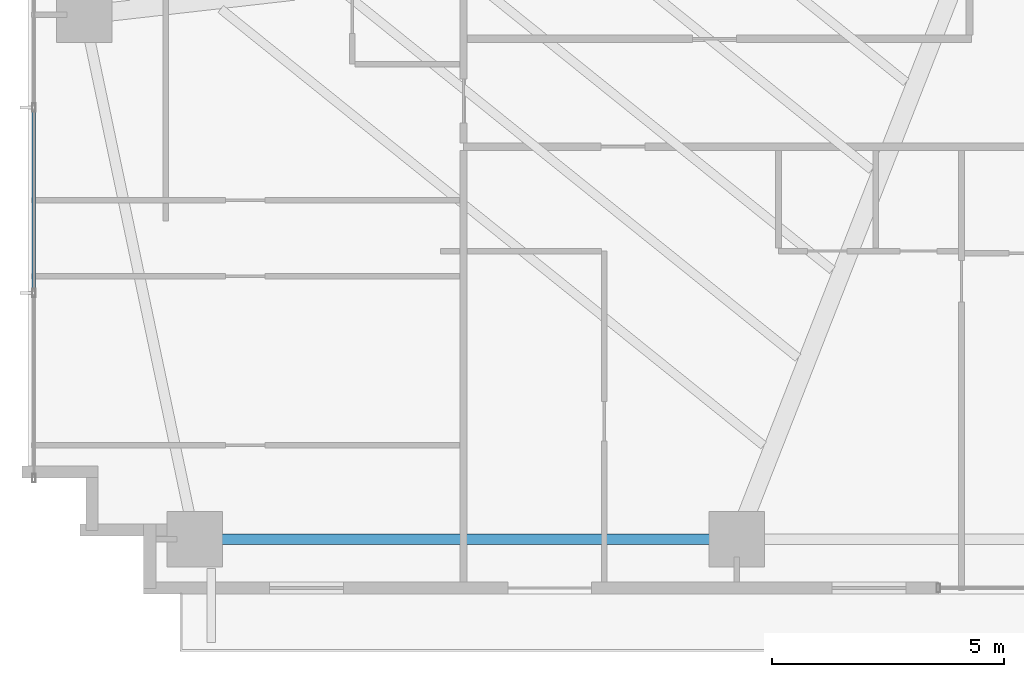
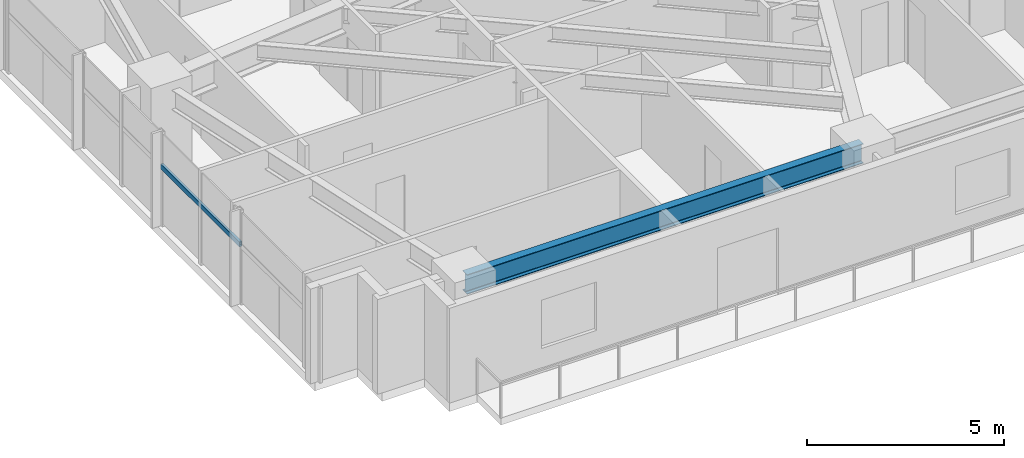
# One storey, part 3 of 25: 1 beam, 1 member, 1 element without a shape of its own.
"""IFC4 building model written with IfcOpenShell, lengths in metres."""

from ifc_helpers import new_model, si_unit, direction, frame, origin, origin_2d, place, context, subcontext, project, spatial, hollow_rectangle, i_section, extrude, source, transform, mapped, material, material_profile, profile_set, type_object, type_shapes, element, aggregate, save


model = new_model("IFC4")

# Units and contexts
model_context = context("Model", 3, precision=1e-05, world=origin(), true_north=direction((0.0, 1.0)))
body_context = subcontext(model_context, "Body", "Model", "MODEL_VIEW")
ifc_project = project(units=[si_unit("LENGTHUNIT", "METRE"), si_unit("AREAUNIT", "SQUARE_METRE"), si_unit("VOLUMEUNIT", "CUBIC_METRE"), si_unit("PLANEANGLEUNIT", "RADIAN"), si_unit("MASSUNIT", "GRAM", prefix="KILO")], contexts=[model_context])

# Site, building, storey
site_placement = place(None, origin())
site = spatial("IfcSite", under=ifc_project, at=site_placement, CompositionType="ELEMENT")
building_placement = place(site_placement, origin())
building = spatial("IfcBuilding", under=site, at=building_placement, Name="Astriad Promenade Condominiums", CompositionType="ELEMENT")
storey_placement = place(building_placement, frame((0.0, 0.0, 29.39990234375)))
storey = spatial("IfcBuildingStorey", under=building, at=storey_placement, Name="L07", CompositionType="ELEMENT", Elevation=29.39990234375)

# Beam
ifc_material_1 = material(Name="Steel ASTM A992 Grade 50", Category="steel")
ifc_material_profile_1 = material_profile(ifc_material_1, i_section(OverallWidth=0.22900390625, OverallDepth=0.612060546875, WebThickness=0.011962890625, FlangeThickness=0.01953125, FilletRadius=0.017822265625, at=origin_2d()), Name="W24X84")
ifc_profile_set_1 = profile_set([ifc_material_profile_1], Name="Steel ASTM A992 Grade 50")
beam_type = type_object("IfcBeamType", Name="STEEL SPANDREL BEAM W24X84", PredefinedType="SPANDREL", material=ifc_profile_set_1)
shared_shape_1 = source(origin(), body_context, "Body", "SweptSolid", [
    extrude(i_section(OverallWidth=0.22900390625, OverallDepth=0.612060546875, WebThickness=0.011962890625, FlangeThickness=0.01953125, FilletRadius=0.017822265625, at=origin_2d()), origin(), (0.0, 0.0, 1.0), 11.6201171875),
])
type_shapes(beam_type, [shared_shape_1])
beam_placement = place(storey_placement, frame((9.43994140625, 3.8798828125, 2.634033203125), z_axis=(1.0, 0.0, 0.0), x_axis=(0.0, 1.0, 0.0)))
element("IfcBeam", 1, at=beam_placement, inside=storey, type_object=beam_type, Name="Perimeter Spandrel Beam SP-S1-L07", PredefinedType="SPANDREL", context=body_context, shape_type="MappedRepresentation", body=[
    mapped(shared_shape_1, transform((0.0, 0.0, 0.0), scale=1.0)),
])

# Curtain wall, member
ifc_material_2 = material(Name="Anodised aluminium Black Dark Glass Unitised", Category="aluminium")
curtain_wall_type = type_object("IfcCurtainWallType", Name="CW-B1-DARK", PredefinedType="USERDEFINED", material=ifc_material_2)
curtain_wall_placement = place(storey_placement, origin())
curtain_wall = element("IfcCurtainWall", 2, at=curtain_wall_placement, inside=storey, type_object=curtain_wall_type, Name="CW-L07-W", ObjectType="UNITISED_CURTAIN_WALL", PredefinedType="USERDEFINED")
ifc_material_3 = material(Name="Anodised aluminium 6063-T6 Black", Category="aluminium")
ifc_material_profile_2 = material_profile(ifc_material_3, hollow_rectangle(XDim=0.074951171875, YDim=0.14990234375, WallThickness=0.004150390625, at=origin_2d()), Name="ALU-TRN-75X150")
ifc_profile_set_2 = profile_set([ifc_material_profile_2], Name="Anodised aluminium 6063-T6 Black")
member_type = type_object("IfcMemberType", Name="TRN-ALU-TRN-75X150", PredefinedType="USERDEFINED", material=ifc_profile_set_2)
shared_shape_2 = source(origin(), body_context, "Body", "SweptSolid", [
    extrude(hollow_rectangle(XDim=0.074951171875, YDim=0.14990234375, WallThickness=0.004150390625, at=origin_2d()), origin(), (0.0, 0.0, 1.0), 4.0),
])
type_shapes(member_type, [shared_shape_2])
member_placement = place(storey_placement, frame((5.929931640625, 9.199951171875, 1.822998046875), z_axis=(0.0, 1.0, 0.0), x_axis=(-1.0, 0.0, 0.0)))
member = element("IfcMember", 3, at=member_placement, type_object=member_type, Name="CW-L07-W-TRN-01-0", ObjectType="TRANSOM", PredefinedType="USERDEFINED", context=body_context, shape_type="MappedRepresentation", body=[
    mapped(shared_shape_2, transform((0.0, 0.0, 0.0), scale=1.0)),
])
aggregate(curtain_wall, [member])

save(model, "model.ifc")
